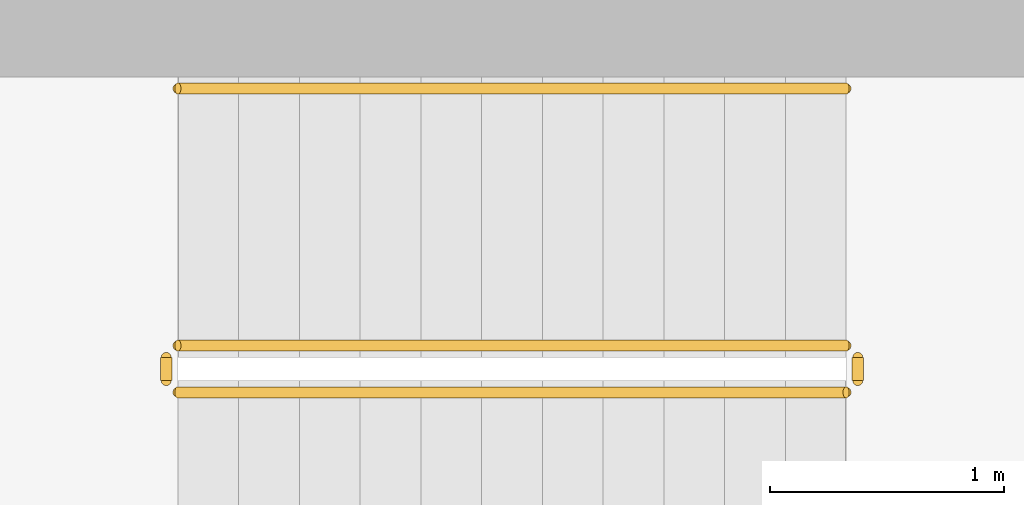
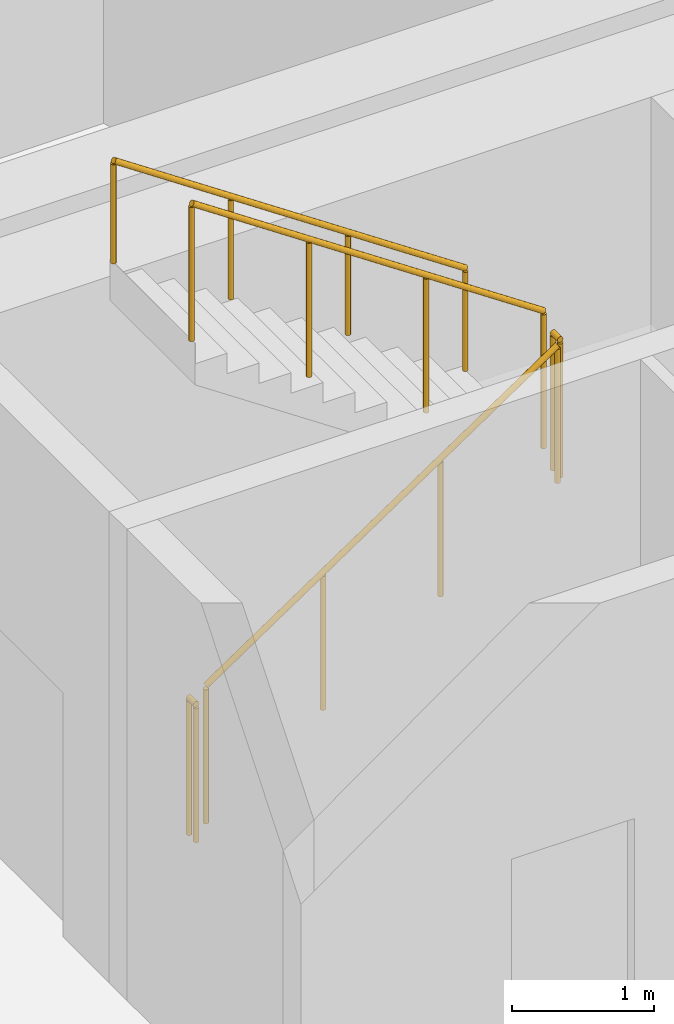
# One storey, part 19 of 23: 5 railings.
"""IFC4 building model written with IfcOpenShell, lengths in metres."""

from ifc_helpers import new_model, si_unit, direction, frame, origin, origin_2d, place, context, subcontext, project, spatial, circle, extrude, material, type_object, element, save


model = new_model("IFC4")

# Units and contexts
model_context = context("Model", 3, precision=1e-05, world=origin(), true_north=direction((0.0, 1.0)))
body_context = subcontext(model_context, "Body", "Model", "MODEL_VIEW")
ifc_project = project(units=[si_unit("LENGTHUNIT", "METRE"), si_unit("AREAUNIT", "SQUARE_METRE"), si_unit("VOLUMEUNIT", "CUBIC_METRE"), si_unit("PLANEANGLEUNIT", "RADIAN"), si_unit("MASSUNIT", "GRAM", prefix="KILO")], contexts=[model_context])

# Site, building, storey
site_placement = place(None, origin())
site = spatial("IfcSite", under=ifc_project, at=site_placement, CompositionType="ELEMENT")
building_placement = place(site_placement, origin())
building = spatial("IfcBuilding", under=site, at=building_placement, Name="Sahrelin Media Tower", CompositionType="ELEMENT")
storey_placement = place(building_placement, frame((0.0, 0.0, 54.60009765625)))
storey = spatial("IfcBuildingStorey", under=building, at=storey_placement, Name="L08", CompositionType="ELEMENT", Elevation=54.60009765625)

# Railings
ifc_material = material(Name="Steel S355", Category="steel")
railing_type_1 = type_object("IfcRailingType", Name="Stair guard 1200", PredefinedType="GUARDRAIL", material=ifc_material)
railing_1_placement = place(storey_placement, frame((-7.675048828125, 5.25, 0.1748046875)))
element("IfcRailing", 1, at=railing_1_placement, inside=storey, type_object=railing_type_1, Name="L08 ST1 stair guard 1", PredefinedType="GUARDRAIL", context=body_context, shape_type="SweptSolid", body=[
    extrude(circle(Radius=0.02392578125, at=origin_2d()), frame((0.0, 0.0, 1.17578125), z_axis=(0.829590901723, 0.0, 0.558371682465), x_axis=(0.0, 1.0, 0.0)), (0.0, 0.0, 1.0), 3.447509765625),
    extrude(circle(Radius=0.02099609375, at=origin_2d()), origin(), (0.0, 0.0, 1.0), 1.15185546875),
    extrude(circle(Radius=0.02099609375, at=origin_2d()), frame((0.953369140625, 0.0, 0.6416015625)), (0.0, 0.0, 1.0), 1.15185546875),
    extrude(circle(Radius=0.02099609375, at=origin_2d()), frame((1.90673828125, 0.0, 1.283447265625)), (0.0, 0.0, 1.0), 1.15185546875),
    extrude(circle(Radius=0.02099609375, at=origin_2d()), frame((2.860107421875, 0.0, 1.925048828125)), (0.0, 0.0, 1.0), 1.15185546875),
])
railing_2_placement = place(storey_placement, frame((-4.764892578125, 5.300048828125, 2.099853515625)))
element("IfcRailing", 2, at=railing_2_placement, inside=storey, type_object=railing_type_1, Name="L08 ST1 stair guard 2", PredefinedType="GUARDRAIL", context=body_context, shape_type="SweptSolid", body=[
    extrude(circle(Radius=0.02392578125, at=origin_2d()), frame((0.0, 0.0, 1.17578125), z_axis=(0.0, 1.0, 0.0), x_axis=(-1.0, 0.0, 0.0)), (0.0, 0.0, 1.0), 0.099853515625),
    extrude(circle(Radius=0.02099609375, at=origin_2d()), origin(), (0.0, 0.0, 1.0), 1.15185546875),
    extrude(circle(Radius=0.02099609375, at=origin_2d()), frame((0.0, 0.099853515625, 0.0)), (0.0, 0.0, 1.0), 1.15185546875),
])
railing_3_placement = place(storey_placement, frame((-4.81494140625, 5.449951171875, 2.27490234375)))
element("IfcRailing", 3, at=railing_3_placement, inside=storey, type_object=railing_type_1, Name="L08 ST1 stair guard 3", PredefinedType="GUARDRAIL", context=body_context, shape_type="SweptSolid", body=[
    extrude(circle(Radius=0.02392578125, at=origin_2d()), frame((0.0, 0.0, 1.17578125), z_axis=(-0.829590901723, 0.0, 0.558371682465), x_axis=(0.0, -1.0, 0.0)), (0.0, 0.0, 1.0), 3.447509765625),
    extrude(circle(Radius=0.02099609375, at=origin_2d()), origin(), (0.0, 0.0, 1.0), 1.15185546875),
    extrude(circle(Radius=0.02099609375, at=origin_2d()), frame((-0.953369140625, 0.0, 0.6416015625)), (0.0, 0.0, 1.0), 1.15185546875),
    extrude(circle(Radius=0.02099609375, at=origin_2d()), frame((-1.90673828125, 0.0, 1.283447265625)), (0.0, 0.0, 1.0), 1.15185546875),
    extrude(circle(Radius=0.02099609375, at=origin_2d()), frame((-2.860107421875, 0.0, 1.925048828125)), (0.0, 0.0, 1.0), 1.15185546875),
])
railing_4_placement = place(storey_placement, frame((-7.72509765625, 5.300048828125, 0.0)))
element("IfcRailing", 4, at=railing_4_placement, inside=storey, type_object=railing_type_1, Name="L08 ST1 stair guard 4", PredefinedType="GUARDRAIL", context=body_context, shape_type="SweptSolid", body=[
    extrude(circle(Radius=0.02392578125, at=origin_2d()), frame((0.0, 0.0, 1.17578125), z_axis=(0.0, 1.0, 0.0), x_axis=(-1.0, 0.0, 0.0)), (0.0, 0.0, 1.0), 0.099853515625),
    extrude(circle(Radius=0.02099609375, at=origin_2d()), origin(), (0.0, 0.0, 1.0), 1.15185546875),
    extrude(circle(Radius=0.02099609375, at=origin_2d()), frame((0.0, 0.099853515625, 0.0)), (0.0, 0.0, 1.0), 1.15185546875),
])
railing_type_2 = type_object("IfcRailingType", Name="Stair handrail 900", PredefinedType="HANDRAIL", material=ifc_material)
railing_5_placement = place(storey_placement, frame((-4.81494140625, 6.550048828125, 2.27490234375)))
element("IfcRailing", 5, at=railing_5_placement, inside=storey, type_object=railing_type_2, Name="L08 ST1 stair handrail 2", PredefinedType="HANDRAIL", context=body_context, shape_type="SweptSolid", body=[
    extrude(circle(Radius=0.02392578125, at=origin_2d()), frame((0.0, 0.0, 0.8759765625), z_axis=(-0.829590901723, 0.0, 0.558371682465), x_axis=(0.0, -1.0, 0.0)), (0.0, 0.0, 1.0), 3.447509765625),
    extrude(circle(Radius=0.02099609375, at=origin_2d()), origin(), (0.0, 0.0, 1.0), 0.851806640625),
    extrude(circle(Radius=0.02099609375, at=origin_2d()), frame((-0.953369140625, 0.0, 0.6416015625)), (0.0, 0.0, 1.0), 0.851806640625),
    extrude(circle(Radius=0.02099609375, at=origin_2d()), frame((-1.90673828125, 0.0, 1.283447265625)), (0.0, 0.0, 1.0), 0.851806640625),
    extrude(circle(Radius=0.02099609375, at=origin_2d()), frame((-2.860107421875, 0.0, 1.925048828125)), (0.0, 0.0, 1.0), 0.851806640625),
])

save(model, "model.ifc")
